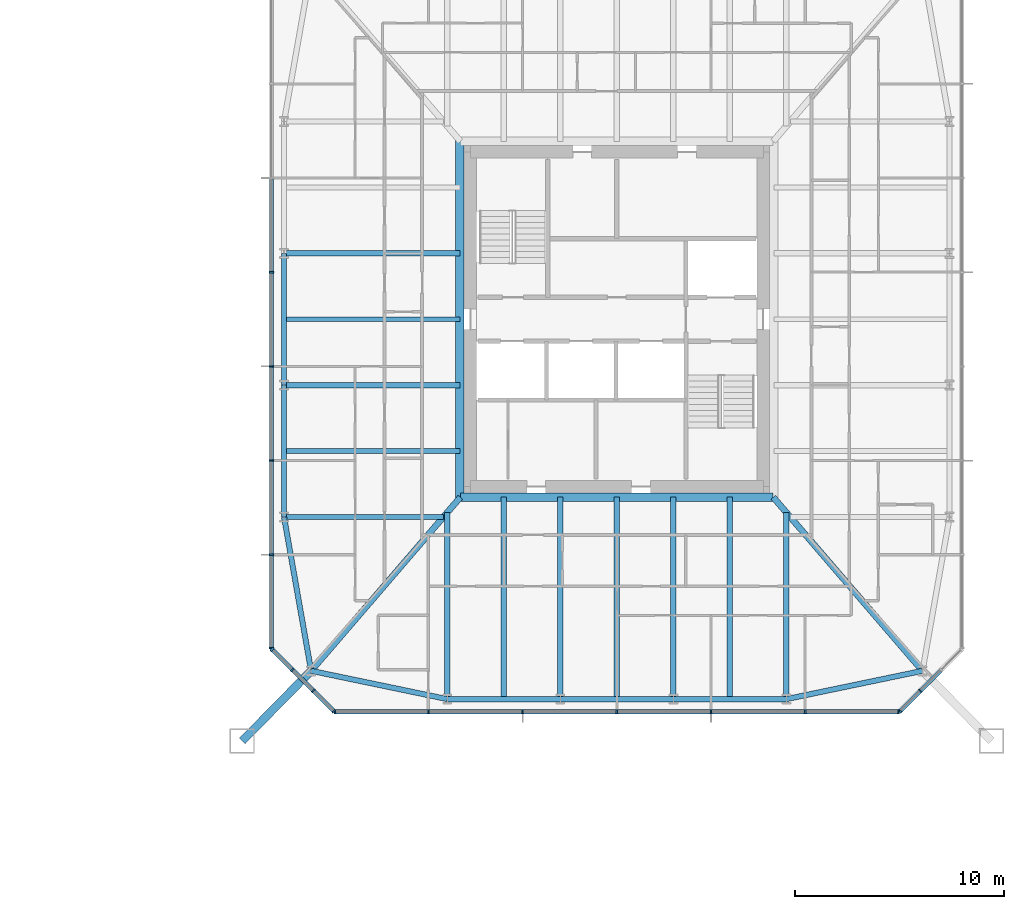
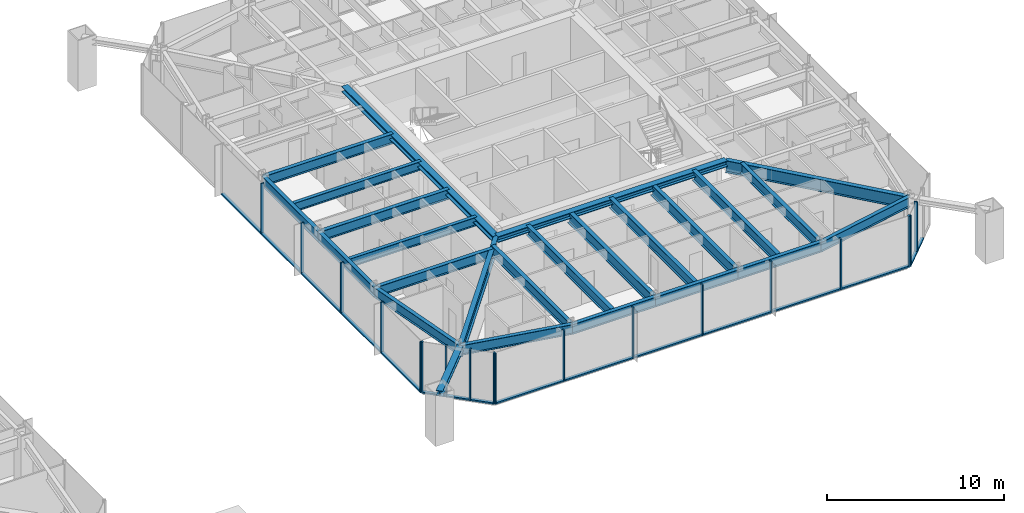
# One storey, part 8 of 26: 35 members, 24 beams, 4 elements without a shape of their own.
"""IFC4 building model written with IfcOpenShell, lengths in metres."""

from ifc_helpers import new_model, si_unit, direction, frame, origin, origin_2d, place, context, subcontext, project, spatial, rectangle, i_section, extrude, material, material_profile, profile_set, type_object, element, aggregate, save


model = new_model("IFC4")

# Units and contexts
model_context = context("Model", 3, precision=1e-05, world=origin(), true_north=direction((0.0, 1.0)))
body_context = subcontext(model_context, "Body", "Model", "MODEL_VIEW")
ifc_project = project(units=[si_unit("LENGTHUNIT", "METRE"), si_unit("AREAUNIT", "SQUARE_METRE"), si_unit("VOLUMEUNIT", "CUBIC_METRE"), si_unit("PLANEANGLEUNIT", "RADIAN"), si_unit("MASSUNIT", "GRAM", prefix="KILO")], contexts=[model_context])

# Site, building, storey
site_placement = place(None, origin())
site = spatial("IfcSite", under=ifc_project, at=site_placement, CompositionType="ELEMENT")
building_placement = place(site_placement, origin())
building = spatial("IfcBuilding", under=site, at=building_placement, Name="Iwan Alto Co-Living Towers", CompositionType="ELEMENT")
storey_placement = place(building_placement, frame((0.0, 0.0, 39.5)))
storey = spatial("IfcBuildingStorey", under=building, at=storey_placement, Name="L10", CompositionType="ELEMENT", Elevation=39.5)

# Curtain wall, members
ifc_material_1 = material(Name="Bronze aluminium unitised frame", Category="aluminium")
curtain_wall_type_1 = type_object("IfcCurtainWallType", Name="CURTAIN WALL CW-C", PredefinedType="NOTDEFINED", material=ifc_material_1)
curtain_wall_1_placement = place(storey_placement, origin())
curtain_wall_1 = element("IfcCurtainWall", 1, at=curtain_wall_1_placement, inside=storey, type_object=curtain_wall_type_1, Name="T2 curtain wall S L10", PredefinedType="NOTDEFINED")
ifc_material_2 = material(Name="Aluminium 6063-T6 bronze anodised", Category="aluminium")
ifc_material_profile_1 = material_profile(ifc_material_2, rectangle(XDim=0.199951171875, YDim=0.080078125, at=origin_2d()), Name="AL 80X200")
ifc_profile_set_1 = profile_set([ifc_material_profile_1], Name="Aluminium 6063-T6 bronze anodised")
member_type_1 = type_object("IfcMemberType", Name="CW-C MULLION 80X200", PredefinedType="MULLION", material=ifc_profile_set_1)
member_1_placement = place(storey_placement, frame((49.5400390625, -18.75, 0.0), z_axis=(0.0, 0.0, 1.0), x_axis=(0.0, 1.0, 0.0)))
member_1 = element("IfcMember", 2, at=member_1_placement, type_object=member_type_1, Name="CW-C mullion 1", PredefinedType="MULLION", context=body_context, shape_type="SweptSolid", body=[
    extrude(rectangle(XDim=0.199951171875, YDim=0.080078125, at=origin_2d()), origin(), (0.0, 0.0, 1.0), 3.5),
])
member_2_placement = place(storey_placement, frame((54.0, -18.75, 0.0), z_axis=(0.0, 0.0, 1.0), x_axis=(0.0, 1.0, 0.0)))
member_2 = element("IfcMember", 3, at=member_2_placement, type_object=member_type_1, Name="CW-C mullion 2", PredefinedType="MULLION", context=body_context, shape_type="SweptSolid", body=[
    extrude(rectangle(XDim=0.199951171875, YDim=0.080078125, at=origin_2d()), origin(), (0.0, 0.0, 1.0), 3.5),
])
member_3_placement = place(storey_placement, frame((58.5, -18.75, 0.0), z_axis=(0.0, 0.0, 1.0), x_axis=(0.0, 1.0, 0.0)))
member_3 = element("IfcMember", 4, at=member_3_placement, type_object=member_type_1, Name="CW-C mullion 3", PredefinedType="MULLION", context=body_context, shape_type="SweptSolid", body=[
    extrude(rectangle(XDim=0.199951171875, YDim=0.080078125, at=origin_2d()), origin(), (0.0, 0.0, 1.0), 3.5),
])
member_4_placement = place(storey_placement, frame((63.0, -18.75, 0.0), z_axis=(0.0, 0.0, 1.0), x_axis=(0.0, 1.0, 0.0)))
member_4 = element("IfcMember", 5, at=member_4_placement, type_object=member_type_1, Name="CW-C mullion 4", PredefinedType="MULLION", context=body_context, shape_type="SweptSolid", body=[
    extrude(rectangle(XDim=0.199951171875, YDim=0.080078125, at=origin_2d()), origin(), (0.0, 0.0, 1.0), 3.5),
])
member_5_placement = place(storey_placement, frame((67.5, -18.75, 0.0), z_axis=(0.0, 0.0, 1.0), x_axis=(0.0, 1.0, 0.0)))
member_5 = element("IfcMember", 6, at=member_5_placement, type_object=member_type_1, Name="CW-C mullion 5", PredefinedType="MULLION", context=body_context, shape_type="SweptSolid", body=[
    extrude(rectangle(XDim=0.199951171875, YDim=0.080078125, at=origin_2d()), origin(), (0.0, 0.0, 1.0), 3.5),
])
member_6_placement = place(storey_placement, frame((72.0, -18.75, 0.0), z_axis=(0.0, 0.0, 1.0), x_axis=(0.0, 1.0, 0.0)))
member_6 = element("IfcMember", 7, at=member_6_placement, type_object=member_type_1, Name="CW-C mullion 6", PredefinedType="MULLION", context=body_context, shape_type="SweptSolid", body=[
    extrude(rectangle(XDim=0.199951171875, YDim=0.080078125, at=origin_2d()), origin(), (0.0, 0.0, 1.0), 3.5),
])
member_7_placement = place(storey_placement, frame((76.4599609375, -18.75, 0.0), z_axis=(0.0, 0.0, 1.0), x_axis=(0.0, 1.0, 0.0)))
member_7 = element("IfcMember", 8, at=member_7_placement, type_object=member_type_1, Name="CW-C mullion 7", PredefinedType="MULLION", context=body_context, shape_type="SweptSolid", body=[
    extrude(rectangle(XDim=0.199951171875, YDim=0.080078125, at=origin_2d()), origin(), (0.0, 0.0, 1.0), 3.5),
])

curtain_wall_2_placement = place(storey_placement, origin())
curtain_wall_2 = element("IfcCurtainWall", 9, at=curtain_wall_2_placement, inside=storey, type_object=curtain_wall_type_1, Name="T2 curtain wall W L10", PredefinedType="NOTDEFINED")
member_8_placement = place(storey_placement, frame((46.5, 2.25, 0.0), z_axis=(0.0, 0.0, 1.0), x_axis=(1.0, 0.0, 0.0)))
member_8 = element("IfcMember", 10, at=member_8_placement, type_object=member_type_1, Name="CW-C mullion 4", PredefinedType="MULLION", context=body_context, shape_type="SweptSolid", body=[
    extrude(rectangle(XDim=0.199951171875, YDim=0.080078125, at=origin_2d()), origin(), (0.0, 0.0, 1.0), 3.5),
])
member_9_placement = place(storey_placement, frame((46.5, -2.25, 0.0), z_axis=(0.0, 0.0, 1.0), x_axis=(1.0, 0.0, 0.0)))
member_9 = element("IfcMember", 11, at=member_9_placement, type_object=member_type_1, Name="CW-C mullion 5", PredefinedType="MULLION", context=body_context, shape_type="SweptSolid", body=[
    extrude(rectangle(XDim=0.199951171875, YDim=0.080078125, at=origin_2d()), origin(), (0.0, 0.0, 1.0), 3.5),
])
member_10_placement = place(storey_placement, frame((46.5, -6.75, 0.0), z_axis=(0.0, 0.0, 1.0), x_axis=(1.0, 0.0, 0.0)))
member_10 = element("IfcMember", 12, at=member_10_placement, type_object=member_type_1, Name="CW-C mullion 6", PredefinedType="MULLION", context=body_context, shape_type="SweptSolid", body=[
    extrude(rectangle(XDim=0.199951171875, YDim=0.080078125, at=origin_2d()), origin(), (0.0, 0.0, 1.0), 3.5),
])
member_11_placement = place(storey_placement, frame((46.5, -11.25, 0.0), z_axis=(0.0, 0.0, 1.0), x_axis=(1.0, 0.0, 0.0)))
member_11 = element("IfcMember", 13, at=member_11_placement, type_object=member_type_1, Name="CW-C mullion 7", PredefinedType="MULLION", context=body_context, shape_type="SweptSolid", body=[
    extrude(rectangle(XDim=0.199951171875, YDim=0.080078125, at=origin_2d()), origin(), (0.0, 0.0, 1.0), 3.5),
])
member_12_placement = place(storey_placement, frame((46.5, -15.7099609375, 0.0), z_axis=(0.0, 0.0, 1.0), x_axis=(1.0, 0.0, 0.0)))
member_12 = element("IfcMember", 14, at=member_12_placement, type_object=member_type_1, Name="CW-C mullion 8", PredefinedType="MULLION", context=body_context, shape_type="SweptSolid", body=[
    extrude(rectangle(XDim=0.199951171875, YDim=0.080078125, at=origin_2d()), origin(), (0.0, 0.0, 1.0), 3.5),
])

# Member
ifc_material_3 = material(Name="Aluminium 6063-T6 bronze anodised", Category="aluminium")
ifc_material_profile_2 = material_profile(ifc_material_3, rectangle(XDim=0.199951171875, YDim=0.10009765625, at=origin_2d()), Name="AL 200X100")
ifc_profile_set_2 = profile_set([ifc_material_profile_2], Name="Aluminium 6063-T6 bronze anodised")
member_type_2 = type_object("IfcMemberType", Name="CW-C TRANSOM 200X100", PredefinedType="USERDEFINED", material=ifc_profile_set_2)
member_13_placement = place(storey_placement, frame((49.580078125, -18.75, 0.050048828125), z_axis=(1.0, 0.0, 0.0), x_axis=(0.0, 1.0, 0.0)))
member_13 = element("IfcMember", 15, at=member_13_placement, type_object=member_type_2, Name="CW-C transom 1.1", ObjectType="TRANSOM", PredefinedType="USERDEFINED", context=body_context, shape_type="SweptSolid", body=[
    extrude(rectangle(XDim=0.199951171875, YDim=0.10009765625, at=origin_2d()), origin(), (0.0, 0.0, 1.0), 4.3798828125),
])

member_14_placement = place(storey_placement, frame((54.0400390625, -18.75, 0.050048828125), z_axis=(1.0, 0.0, 0.0), x_axis=(0.0, 1.0, 0.0)))
member_14 = element("IfcMember", 16, at=member_14_placement, type_object=member_type_2, Name="CW-C transom 2.1", ObjectType="TRANSOM", PredefinedType="USERDEFINED", context=body_context, shape_type="SweptSolid", body=[
    extrude(rectangle(XDim=0.199951171875, YDim=0.10009765625, at=origin_2d()), origin(), (0.0, 0.0, 1.0), 4.419921875),
])

member_15_placement = place(storey_placement, frame((58.5400390625, -18.75, 0.050048828125), z_axis=(1.0, 0.0, 0.0), x_axis=(0.0, 1.0, 0.0)))
member_15 = element("IfcMember", 17, at=member_15_placement, type_object=member_type_2, Name="CW-C transom 3.1", ObjectType="TRANSOM", PredefinedType="USERDEFINED", context=body_context, shape_type="SweptSolid", body=[
    extrude(rectangle(XDim=0.199951171875, YDim=0.10009765625, at=origin_2d()), origin(), (0.0, 0.0, 1.0), 4.419921875),
])

member_16_placement = place(storey_placement, frame((63.0400390625, -18.75, 0.050048828125), z_axis=(1.0, 0.0, 0.0), x_axis=(0.0, 1.0, 0.0)))
member_16 = element("IfcMember", 18, at=member_16_placement, type_object=member_type_2, Name="CW-C transom 4.1", ObjectType="TRANSOM", PredefinedType="USERDEFINED", context=body_context, shape_type="SweptSolid", body=[
    extrude(rectangle(XDim=0.199951171875, YDim=0.10009765625, at=origin_2d()), origin(), (0.0, 0.0, 1.0), 4.419921875),
])

member_17_placement = place(storey_placement, frame((67.5400390625, -18.75, 0.050048828125), z_axis=(1.0, 0.0, 0.0), x_axis=(0.0, 1.0, 0.0)))
member_17 = element("IfcMember", 19, at=member_17_placement, type_object=member_type_2, Name="CW-C transom 5.1", ObjectType="TRANSOM", PredefinedType="USERDEFINED", context=body_context, shape_type="SweptSolid", body=[
    extrude(rectangle(XDim=0.199951171875, YDim=0.10009765625, at=origin_2d()), origin(), (0.0, 0.0, 1.0), 4.419921875),
])

member_18_placement = place(storey_placement, frame((72.0400390625, -18.75, 0.050048828125), z_axis=(1.0, 0.0, 0.0), x_axis=(0.0, 1.0, 0.0)))
member_18 = element("IfcMember", 20, at=member_18_placement, type_object=member_type_2, Name="CW-C transom 6.1", ObjectType="TRANSOM", PredefinedType="USERDEFINED", context=body_context, shape_type="SweptSolid", body=[
    extrude(rectangle(XDim=0.199951171875, YDim=0.10009765625, at=origin_2d()), origin(), (0.0, 0.0, 1.0), 4.3798828125),
])

aggregate(curtain_wall_1, [member_1, member_2, member_3, member_4, member_5, member_6, member_7, member_13, member_14, member_15, member_16, member_17, member_18])

member_19_placement = place(storey_placement, frame((46.5, 6.7099609375, 0.050048828125), z_axis=(0.0, -1.0, 0.0), x_axis=(1.0, 0.0, 0.0)))
member_19 = element("IfcMember", 21, at=member_19_placement, type_object=member_type_2, Name="CW-C transom 3.1", ObjectType="TRANSOM", PredefinedType="USERDEFINED", context=body_context, shape_type="SweptSolid", body=[
    extrude(rectangle(XDim=0.199951171875, YDim=0.10009765625, at=origin_2d()), origin(), (0.0, 0.0, 1.0), 4.419921875),
])

member_20_placement = place(storey_placement, frame((46.5, 2.2099609375, 0.050048828125), z_axis=(0.0, -1.0, 0.0), x_axis=(1.0, 0.0, 0.0)))
member_20 = element("IfcMember", 22, at=member_20_placement, type_object=member_type_2, Name="CW-C transom 4.1", ObjectType="TRANSOM", PredefinedType="USERDEFINED", context=body_context, shape_type="SweptSolid", body=[
    extrude(rectangle(XDim=0.199951171875, YDim=0.10009765625, at=origin_2d()), origin(), (0.0, 0.0, 1.0), 4.419921875),
])

member_21_placement = place(storey_placement, frame((46.5, -2.2900390625, 0.050048828125), z_axis=(0.0, -1.0, 0.0), x_axis=(1.0, 0.0, 0.0)))
member_21 = element("IfcMember", 23, at=member_21_placement, type_object=member_type_2, Name="CW-C transom 5.1", ObjectType="TRANSOM", PredefinedType="USERDEFINED", context=body_context, shape_type="SweptSolid", body=[
    extrude(rectangle(XDim=0.199951171875, YDim=0.10009765625, at=origin_2d()), origin(), (0.0, 0.0, 1.0), 4.419921875),
])

member_22_placement = place(storey_placement, frame((46.5, -6.7900390625, 0.050048828125), z_axis=(0.0, -1.0, 0.0), x_axis=(1.0, 0.0, 0.0)))
member_22 = element("IfcMember", 24, at=member_22_placement, type_object=member_type_2, Name="CW-C transom 6.1", ObjectType="TRANSOM", PredefinedType="USERDEFINED", context=body_context, shape_type="SweptSolid", body=[
    extrude(rectangle(XDim=0.199951171875, YDim=0.10009765625, at=origin_2d()), origin(), (0.0, 0.0, 1.0), 4.419921875),
])

member_23_placement = place(storey_placement, frame((46.5, -11.2900390625, 0.050048828125), z_axis=(0.0, -1.0, 0.0), x_axis=(1.0, 0.0, 0.0)))
member_23 = element("IfcMember", 25, at=member_23_placement, type_object=member_type_2, Name="CW-C transom 7.1", ObjectType="TRANSOM", PredefinedType="USERDEFINED", context=body_context, shape_type="SweptSolid", body=[
    extrude(rectangle(XDim=0.199951171875, YDim=0.10009765625, at=origin_2d()), origin(), (0.0, 0.0, 1.0), 4.3798828125),
])

aggregate(curtain_wall_2, [member_8, member_9, member_10, member_11, member_12, member_19, member_20, member_21, member_22, member_23])

# Curtain wall, members
ifc_material_4 = material(Name="Bronze aluminium unitised frame", Category="aluminium")
curtain_wall_type_2 = type_object("IfcCurtainWallType", Name="CURTAIN WALL CW-D", PredefinedType="NOTDEFINED", material=ifc_material_4)
curtain_wall_3_placement = place(storey_placement, origin())
curtain_wall_3 = element("IfcCurtainWall", 26, at=curtain_wall_3_placement, inside=storey, type_object=curtain_wall_type_2, Name="T2 chamfer curtain wall SE L10", PredefinedType="NOTDEFINED")
ifc_material_5 = material(Name="Aluminium 6063-T6 bronze anodised", Category="aluminium")
ifc_material_profile_3 = material_profile(ifc_material_5, rectangle(XDim=0.199951171875, YDim=0.080078125, at=origin_2d()), Name="AL 80X200")
ifc_profile_set_3 = profile_set([ifc_material_profile_3], Name="Aluminium 6063-T6 bronze anodised")
member_type_3 = type_object("IfcMemberType", Name="CW-D MULLION 80X200", PredefinedType="MULLION", material=ifc_profile_set_3)
member_24_placement = place(storey_placement, frame((76.5283203125, -18.7216796875, 0.0), z_axis=(0.0, 0.0, 1.0), x_axis=(-0.707106781187, 0.707106781187, 0.0)))
member_24 = element("IfcMember", 27, at=member_24_placement, type_object=member_type_3, Name="CW-D mullion 1", PredefinedType="MULLION", context=body_context, shape_type="SweptSolid", body=[
    extrude(rectangle(XDim=0.199951171875, YDim=0.080078125, at=origin_2d()), origin(), (0.0, 0.0, 1.0), 3.5),
])
member_25_placement = place(storey_placement, frame((77.5, -17.75, 0.0), z_axis=(0.0, 0.0, 1.0), x_axis=(-0.707106781187, 0.707106781187, 0.0)))
member_25 = element("IfcMember", 28, at=member_25_placement, type_object=member_type_3, Name="CW-D mullion 2", PredefinedType="MULLION", context=body_context, shape_type="SweptSolid", body=[
    extrude(rectangle(XDim=0.199951171875, YDim=0.080078125, at=origin_2d()), origin(), (0.0, 0.0, 1.0), 3.5),
])

curtain_wall_4_placement = place(storey_placement, origin())
curtain_wall_4 = element("IfcCurtainWall", 29, at=curtain_wall_4_placement, inside=storey, type_object=curtain_wall_type_2, Name="T2 chamfer curtain wall SW L10", PredefinedType="NOTDEFINED")
member_26_placement = place(storey_placement, frame((46.5283203125, -15.7783203125, 0.0), z_axis=(0.0, 0.0, 1.0), x_axis=(0.707106781187, 0.707106781187, 0.0)))
member_26 = element("IfcMember", 30, at=member_26_placement, type_object=member_type_3, Name="CW-D mullion 1", PredefinedType="MULLION", context=body_context, shape_type="SweptSolid", body=[
    extrude(rectangle(XDim=0.199951171875, YDim=0.080078125, at=origin_2d()), origin(), (0.0, 0.0, 1.0), 3.5),
])
member_27_placement = place(storey_placement, frame((47.5, -16.75, 0.0), z_axis=(0.0, 0.0, 1.0), x_axis=(0.707106781187, 0.707106781187, 0.0)))
member_27 = element("IfcMember", 31, at=member_27_placement, type_object=member_type_3, Name="CW-D mullion 2", PredefinedType="MULLION", context=body_context, shape_type="SweptSolid", body=[
    extrude(rectangle(XDim=0.199951171875, YDim=0.080078125, at=origin_2d()), origin(), (0.0, 0.0, 1.0), 3.5),
])
member_28_placement = place(storey_placement, frame((48.5, -17.75, 0.0), z_axis=(0.0, 0.0, 1.0), x_axis=(0.707106781187, 0.707106781187, 0.0)))
member_28 = element("IfcMember", 32, at=member_28_placement, type_object=member_type_3, Name="CW-D mullion 3", PredefinedType="MULLION", context=body_context, shape_type="SweptSolid", body=[
    extrude(rectangle(XDim=0.199951171875, YDim=0.080078125, at=origin_2d()), origin(), (0.0, 0.0, 1.0), 3.5),
])
member_29_placement = place(storey_placement, frame((49.4716796875, -18.7216796875, 0.0), z_axis=(0.0, 0.0, 1.0), x_axis=(0.707106781187, 0.707106781187, 0.0)))
member_29 = element("IfcMember", 33, at=member_29_placement, type_object=member_type_3, Name="CW-D mullion 4", PredefinedType="MULLION", context=body_context, shape_type="SweptSolid", body=[
    extrude(rectangle(XDim=0.199951171875, YDim=0.080078125, at=origin_2d()), origin(), (0.0, 0.0, 1.0), 3.5),
])

# Member
ifc_material_6 = material(Name="Aluminium 6063-T6 bronze anodised", Category="aluminium")
ifc_material_profile_4 = material_profile(ifc_material_6, rectangle(XDim=0.199951171875, YDim=0.10009765625, at=origin_2d()), Name="AL 200X100")
ifc_profile_set_4 = profile_set([ifc_material_profile_4], Name="Aluminium 6063-T6 bronze anodised")
member_type_4 = type_object("IfcMemberType", Name="CW-D TRANSOM 200X100", PredefinedType="USERDEFINED", material=ifc_profile_set_4)
member_30_placement = place(storey_placement, frame((76.556640625, -18.693359375, 0.050048828125), z_axis=(0.707106781187, 0.707106781187, 0.0), x_axis=(-0.707106781187, 0.707106781187, 0.0)))
member_30 = element("IfcMember", 34, at=member_30_placement, type_object=member_type_4, Name="CW-D transom 1.1", ObjectType="TRANSOM", PredefinedType="USERDEFINED", context=body_context, shape_type="SweptSolid", body=[
    extrude(rectangle(XDim=0.199951171875, YDim=0.10009765625, at=origin_2d()), origin(), (0.0, 0.0, 1.0), 1.2939453125),
])

member_31_placement = place(storey_placement, frame((77.5283203125, -17.7216796875, 0.050048828125), z_axis=(0.707106781187, 0.707106781187, 0.0), x_axis=(-0.707106781187, 0.707106781187, 0.0)))
member_31 = element("IfcMember", 35, at=member_31_placement, type_object=member_type_4, Name="CW-D transom 2.1", ObjectType="TRANSOM", PredefinedType="USERDEFINED", context=body_context, shape_type="SweptSolid", body=[
    extrude(rectangle(XDim=0.199951171875, YDim=0.10009765625, at=origin_2d()), origin(), (0.0, 0.0, 1.0), 1.334228515625),
])

aggregate(curtain_wall_3, [member_24, member_25, member_30, member_31])

member_32_placement = place(storey_placement, frame((46.556640625, -15.806640625, 0.050048828125), z_axis=(0.707106781187, -0.707106781187, 0.0), x_axis=(0.707106781187, 0.707106781187, 0.0)))
member_32 = element("IfcMember", 36, at=member_32_placement, type_object=member_type_4, Name="CW-D transom 1.1", ObjectType="TRANSOM", PredefinedType="USERDEFINED", context=body_context, shape_type="SweptSolid", body=[
    extrude(rectangle(XDim=0.199951171875, YDim=0.10009765625, at=origin_2d()), origin(), (0.0, 0.0, 1.0), 1.2939453125),
])

member_33_placement = place(storey_placement, frame((47.5283203125, -16.7783203125, 0.050048828125), z_axis=(0.707106781187, -0.707106781187, 0.0), x_axis=(0.707106781187, 0.707106781187, 0.0)))
member_33 = element("IfcMember", 37, at=member_33_placement, type_object=member_type_4, Name="CW-D transom 2.1", ObjectType="TRANSOM", PredefinedType="USERDEFINED", context=body_context, shape_type="SweptSolid", body=[
    extrude(rectangle(XDim=0.199951171875, YDim=0.10009765625, at=origin_2d()), origin(), (0.0, 0.0, 1.0), 1.334228515625),
])

member_34_placement = place(storey_placement, frame((48.5283203125, -17.7783203125, 0.050048828125), z_axis=(0.707106781187, -0.707106781187, 0.0), x_axis=(0.707106781187, 0.707106781187, 0.0)))
member_34 = element("IfcMember", 38, at=member_34_placement, type_object=member_type_4, Name="CW-D transom 3.1", ObjectType="TRANSOM", PredefinedType="USERDEFINED", context=body_context, shape_type="SweptSolid", body=[
    extrude(rectangle(XDim=0.199951171875, YDim=0.10009765625, at=origin_2d()), origin(), (0.0, 0.0, 1.0), 1.2939453125),
])

aggregate(curtain_wall_4, [member_26, member_27, member_28, member_29, member_32, member_33, member_34])

# Beams
ifc_material_7 = material(Name="Steel ASTM A992 Gr 50", Category="steel")
ifc_material_profile_5 = material_profile(ifc_material_7, i_section(OverallWidth=0.40380859375, OverallDepth=0.406494140625, WebThickness=0.027099609375, FlangeThickness=0.043701171875, at=origin_2d()), Name="W14X233")
ifc_profile_set_5 = profile_set([ifc_material_profile_5], Name="Steel ASTM A992 Gr 50")
beam_type_1 = type_object("IfcBeamType", Name="T2 CORE LEDGER BEAM W14X233", PredefinedType="BEAM", material=ifc_profile_set_5)
beam_1_placement = place(storey_placement, frame((55.5263671875, -8.501953125, 3.06689453125), z_axis=(1.0, 0.0, 0.0), x_axis=(0.0, 1.0, 0.0)))
element("IfcBeam", 39, at=beam_1_placement, inside=storey, type_object=beam_type_1, Name="T2 core ledger beam S L11", PredefinedType="BEAM", context=body_context, shape_type="SweptSolid", body=[
    extrude(i_section(OverallWidth=0.40380859375, OverallDepth=0.406494140625, WebThickness=0.027099609375, FlangeThickness=0.043701171875, at=origin_2d()), origin(), (0.0, 0.0, 1.0), 14.947265625),
])
beam_2_placement = place(storey_placement, frame((55.498046875, 8.534912109375, 3.06689453125), z_axis=(0.0, -1.0, 0.0), x_axis=(1.0, 0.0, 0.0)))
element("IfcBeam", 40, at=beam_2_placement, inside=storey, type_object=beam_type_1, Name="T2 core ledger beam W L11", PredefinedType="BEAM", context=body_context, shape_type="SweptSolid", body=[
    extrude(i_section(OverallWidth=0.40380859375, OverallDepth=0.406494140625, WebThickness=0.027099609375, FlangeThickness=0.043701171875, at=origin_2d()), origin(), (0.0, 0.0, 1.0), 17.06982421875),
])
ifc_material_8 = material(Name="Steel ASTM A992 Gr 50", Category="steel")
ifc_material_profile_6 = material_profile(ifc_material_8, i_section(OverallWidth=0.2919921875, OverallDepth=0.8408203125, WebThickness=0.0146484375, FlangeThickness=0.021728515625, at=origin_2d()), Name="W33X130")
ifc_profile_set_6 = profile_set([ifc_material_profile_6], Name="Steel ASTM A992 Gr 50")
beam_type_2 = type_object("IfcBeamType", Name="T2 CORNER GIRDER W33X130", PredefinedType="BEAM", material=ifc_profile_set_6)
for number, where, z_axis, x_axis, name in (
    (41, (48.393798828125, -16.797119140625, 2.849609375), (0.651972301827, 0.758242782788, 0.0), (-0.758242782788, 0.651972301827, 0.0), "T2 corner girder CSW L11"),
    (42, (77.606201171875, -16.797119140625, 2.849609375), (-0.651972301827, 0.758242782788, 0.0), (-0.758242782788, -0.651972301827, 0.0), "T2 corner girder CSE L11"),
):
    element("IfcBeam", number, at=place(storey_placement, frame(where, z_axis=z_axis, x_axis=x_axis)), inside=storey, type_object=beam_type_2, Name=name, PredefinedType="BEAM", context=body_context, shape_type="SweptSolid", body=[
        extrude(i_section(OverallWidth=0.2919921875, OverallDepth=0.8408203125, WebThickness=0.0146484375, FlangeThickness=0.021728515625, at=origin_2d()), origin(), (0.0, 0.0, 1.0), 10.93994140625),
    ])
ifc_material_9 = material(Name="Steel ASTM A992 Gr 50", Category="steel")
ifc_material_profile_7 = material_profile(ifc_material_9, i_section(OverallWidth=0.25390625, OverallDepth=0.683349609375, WebThickness=0.012451171875, FlangeThickness=0.018798828125, at=origin_2d()), Name="W27X94")
ifc_profile_set_7 = profile_set([ifc_material_profile_7], Name="Steel ASTM A992 Gr 50")
beam_type_3 = type_object("IfcBeamType", Name="T2 EDGE BEAM W27X94", PredefinedType="BEAM", material=ifc_profile_set_7)
beam_3_placement = place(storey_placement, frame((48.393798828125, -16.797119140625, 2.928466796875), z_axis=(0.979060119423, -0.203571320564, 0.0), x_axis=(0.203571320564, 0.979060119423, 0.0)))
element("IfcBeam", 43, at=beam_3_placement, inside=storey, type_object=beam_type_3, Name="T2 edge beam CSW L11", PredefinedType="BEAM", context=body_context, shape_type="SweptSolid", body=[
    extrude(i_section(OverallWidth=0.25390625, OverallDepth=0.683349609375, WebThickness=0.012451171875, FlangeThickness=0.018798828125, at=origin_2d()), origin(), (0.0, 0.0, 1.0), 6.645263671875),
])
beam_4_placement = place(storey_placement, frame((54.89990234375, -18.14990234375, 2.928466796875), z_axis=(1.0, 0.0, 0.0), x_axis=(0.0, 1.0, 0.0)))
element("IfcBeam", 44, at=beam_4_placement, inside=storey, type_object=beam_type_3, Name="T2 edge beam S1 L11", PredefinedType="BEAM", context=body_context, shape_type="SweptSolid", body=[
    extrude(i_section(OverallWidth=0.25390625, OverallDepth=0.683349609375, WebThickness=0.012451171875, FlangeThickness=0.018798828125, at=origin_2d()), origin(), (0.0, 0.0, 1.0), 5.400146484375),
])
beam_5_placement = place(storey_placement, frame((60.300048828125, -18.14990234375, 2.928466796875), z_axis=(1.0, 0.0, 0.0), x_axis=(0.0, 1.0, 0.0)))
element("IfcBeam", 45, at=beam_5_placement, inside=storey, type_object=beam_type_3, Name="T2 edge beam S2 L11", PredefinedType="BEAM", context=body_context, shape_type="SweptSolid", body=[
    extrude(i_section(OverallWidth=0.25390625, OverallDepth=0.683349609375, WebThickness=0.012451171875, FlangeThickness=0.018798828125, at=origin_2d()), origin(), (0.0, 0.0, 1.0), 5.39990234375),
])
beam_6_placement = place(storey_placement, frame((65.699951171875, -18.14990234375, 2.928466796875), z_axis=(1.0, 0.0, 0.0), x_axis=(0.0, 1.0, 0.0)))
element("IfcBeam", 46, at=beam_6_placement, inside=storey, type_object=beam_type_3, Name="T2 edge beam S3 L11", PredefinedType="BEAM", context=body_context, shape_type="SweptSolid", body=[
    extrude(i_section(OverallWidth=0.25390625, OverallDepth=0.683349609375, WebThickness=0.012451171875, FlangeThickness=0.018798828125, at=origin_2d()), origin(), (0.0, 0.0, 1.0), 5.400146484375),
])
beam_7_placement = place(storey_placement, frame((71.10009765625, -18.14990234375, 2.928466796875), z_axis=(0.979060119423, 0.203571320564, 0.0), x_axis=(-0.203571320564, 0.979060119423, 0.0)))
element("IfcBeam", 47, at=beam_7_placement, inside=storey, type_object=beam_type_3, Name="T2 edge beam S4 L11", PredefinedType="BEAM", context=body_context, shape_type="SweptSolid", body=[
    extrude(i_section(OverallWidth=0.25390625, OverallDepth=0.683349609375, WebThickness=0.012451171875, FlangeThickness=0.018798828125, at=origin_2d()), origin(), (0.0, 0.0, 1.0), 6.645263671875),
])
beam_8_placement = place(storey_placement, frame((47.10009765625, 3.14990234375, 2.928466796875), z_axis=(0.0, -1.0, 0.0), x_axis=(1.0, 0.0, 0.0)))
element("IfcBeam", 48, at=beam_8_placement, inside=storey, type_object=beam_type_3, Name="T2 edge beam W2 L11", PredefinedType="BEAM", context=body_context, shape_type="SweptSolid", body=[
    extrude(i_section(OverallWidth=0.25390625, OverallDepth=0.683349609375, WebThickness=0.012451171875, FlangeThickness=0.018798828125, at=origin_2d()), origin(), (0.0, 0.0, 1.0), 6.2998046875),
])
beam_9_placement = place(storey_placement, frame((47.10009765625, -3.14990234375, 2.928466796875), z_axis=(0.0, -1.0, 0.0), x_axis=(1.0, 0.0, 0.0)))
element("IfcBeam", 49, at=beam_9_placement, inside=storey, type_object=beam_type_3, Name="T2 edge beam W3 L11", PredefinedType="BEAM", context=body_context, shape_type="SweptSolid", body=[
    extrude(i_section(OverallWidth=0.25390625, OverallDepth=0.683349609375, WebThickness=0.012451171875, FlangeThickness=0.018798828125, at=origin_2d()), origin(), (0.0, 0.0, 1.0), 6.300048828125),
])
beam_10_placement = place(storey_placement, frame((47.10009765625, -9.449951171875, 2.928466796875), z_axis=(0.173413807283, -0.98484905008, 0.0), x_axis=(0.98484905008, 0.173413807283, 0.0)))
element("IfcBeam", 50, at=beam_10_placement, inside=storey, type_object=beam_type_3, Name="T2 edge beam W4 L11", PredefinedType="BEAM", context=body_context, shape_type="SweptSolid", body=[
    extrude(i_section(OverallWidth=0.25390625, OverallDepth=0.683349609375, WebThickness=0.012451171875, FlangeThickness=0.018798828125, at=origin_2d()), origin(), (0.0, 0.0, 1.0), 7.460205078125),
])

# Member
ifc_material_10 = material(Name="Steel ASTM A992 Gr 50", Category="steel")
ifc_material_profile_8 = material_profile(ifc_material_10, i_section(OverallWidth=0.393798828125, OverallDepth=0.3759765625, WebThickness=0.017333984375, FlangeThickness=0.027587890625, at=origin_2d()), Name="W14X145")
ifc_profile_set_8 = profile_set([ifc_material_profile_8], Name="Steel ASTM A992 Gr 50")
member_type_5 = type_object("IfcMemberType", Name="T2 MEGA COLUMN FLOOR TIE W14X145", PredefinedType="STRUT", material=ifc_profile_set_8)
member_35_placement = place(storey_placement, frame((45.10009765625, -20.14990234375, 3.08203125), z_axis=(0.700793469544, 0.71336422187, 0.0), x_axis=(-0.71336422187, 0.700793469544, 0.0)))
element("IfcMember", 51, at=member_35_placement, inside=storey, type_object=member_type_5, Name="T2 mega column floor tie SW L11", PredefinedType="STRUT", context=body_context, shape_type="SweptSolid", body=[
    extrude(i_section(OverallWidth=0.393798828125, OverallDepth=0.3759765625, WebThickness=0.017333984375, FlangeThickness=0.027587890625, at=origin_2d()), origin(), (0.0, 0.0, 1.0), 4.699951171875),
])

# Beams
ifc_material_11 = material(Name="Steel ASTM A992 Gr 50", Category="steel")
ifc_material_profile_9 = material_profile(ifc_material_11, i_section(OverallWidth=0.25390625, OverallDepth=0.683349609375, WebThickness=0.012451171875, FlangeThickness=0.018798828125, at=origin_2d()), Name="W27X94")
ifc_profile_set_9 = profile_set([ifc_material_profile_9], Name="Steel ASTM A992 Gr 50")
beam_type_4 = type_object("IfcBeamType", Name="T2 RADIAL BEAM W27X94", PredefinedType="BEAM", material=ifc_profile_set_9)
for number, where, z_axis, x_axis, name in (
    (52, (54.89990234375, -18.14990234375, 2.928466796875), (0.0, 1.0, 0.0), (-1.0, 0.0, 0.0), "T2 radial beam S1 L11"),
    (53, (71.10009765625, -18.14990234375, 2.928466796875), (0.0, 1.0, 0.0), (-1.0, 0.0, 0.0), "T2 radial beam S4 L11"),
):
    element("IfcBeam", number, at=place(storey_placement, frame(where, z_axis=z_axis, x_axis=x_axis)), inside=storey, type_object=beam_type_4, Name=name, PredefinedType="BEAM", context=body_context, shape_type="SweptSolid", body=[
        extrude(i_section(OverallWidth=0.25390625, OverallDepth=0.683349609375, WebThickness=0.012451171875, FlangeThickness=0.018798828125, at=origin_2d()), origin(), (0.0, 0.0, 1.0), 8.91943359375),
    ])
for number, where, z_axis, x_axis, name in (
    (54, (47.10009765625, 3.14990234375, 2.928466796875), (1.0, 0.0, 0.0), (0.0, 1.0, 0.0), "T2 radial beam W2 L11"),
    (55, (47.10009765625, -3.14990234375, 2.928466796875), (1.0, 0.0, 0.0), (0.0, 1.0, 0.0), "T2 radial beam W3 L11"),
):
    element("IfcBeam", number, at=place(storey_placement, frame(where, z_axis=z_axis, x_axis=x_axis)), inside=storey, type_object=beam_type_4, Name=name, PredefinedType="BEAM", context=body_context, shape_type="SweptSolid", body=[
        extrude(i_section(OverallWidth=0.25390625, OverallDepth=0.683349609375, WebThickness=0.012451171875, FlangeThickness=0.018798828125, at=origin_2d()), origin(), (0.0, 0.0, 1.0), 8.39794921875),
    ])
beam_11_placement = place(storey_placement, frame((47.10009765625, -9.449951171875, 2.928466796875), z_axis=(1.0, 0.0, 0.0), x_axis=(0.0, 1.0, 0.0)))
element("IfcBeam", 56, at=beam_11_placement, inside=storey, type_object=beam_type_4, Name="T2 radial beam W4 L11", PredefinedType="BEAM", context=body_context, shape_type="SweptSolid", body=[
    extrude(i_section(OverallWidth=0.25390625, OverallDepth=0.683349609375, WebThickness=0.012451171875, FlangeThickness=0.018798828125, at=origin_2d()), origin(), (0.0, 0.0, 1.0), 7.611083984375),
])
ifc_material_12 = material(Name="Steel ASTM A992 Gr 50", Category="steel")
ifc_material_profile_10 = material_profile(ifc_material_12, i_section(OverallWidth=0.2666015625, OverallDepth=0.761962890625, WebThickness=0.014404296875, FlangeThickness=0.021484375, at=origin_2d()), Name="W30X116")
ifc_profile_set_10 = profile_set([ifc_material_profile_10], Name="Steel ASTM A992 Gr 50")
beam_type_5 = type_object("IfcBeamType", Name="T2 RADIAL BEAM W30X116", PredefinedType="BEAM", material=ifc_profile_set_10)
for number, where, z_axis, x_axis, name in (
    (57, (60.300048828125, -18.14990234375, 2.888916015625), (0.0, 1.0, 0.0), (-1.0, 0.0, 0.0), "T2 radial beam S2 L11"),
    (58, (65.699951171875, -18.14990234375, 2.888916015625), (0.0, 1.0, 0.0), (-1.0, 0.0, 0.0), "T2 radial beam S3 L11"),
):
    element("IfcBeam", number, at=place(storey_placement, frame(where, z_axis=z_axis, x_axis=x_axis)), inside=storey, type_object=beam_type_5, Name=name, PredefinedType="BEAM", context=body_context, shape_type="SweptSolid", body=[
        extrude(i_section(OverallWidth=0.2666015625, OverallDepth=0.761962890625, WebThickness=0.014404296875, FlangeThickness=0.021484375, at=origin_2d()), origin(), (0.0, 0.0, 1.0), 9.64794921875),
    ])
ifc_material_13 = material(Name="Steel ASTM A992 Gr 50", Category="steel")
ifc_material_profile_11 = material_profile(ifc_material_13, i_section(OverallWidth=0.228271484375, OverallDepth=0.607177734375, WebThickness=0.01123046875, FlangeThickness=0.017333984375, at=origin_2d()), Name="W24X76")
ifc_profile_set_11 = profile_set([ifc_material_profile_11], Name="Steel ASTM A992 Gr 50")
beam_type_6 = type_object("IfcBeamType", Name="T2 SECONDARY BEAM W24X76", PredefinedType="JOIST", material=ifc_profile_set_11)
for number, where, z_axis, x_axis, name in (
    (59, (47.10009765625, 0.0, 2.966552734375), (1.0, 0.0, 0.0), (0.0, 1.0, 0.0), "T2 secondary beam W2 L11"),
    (60, (47.10009765625, -6.300048828125, 2.966552734375), (1.0, 0.0, 0.0), (0.0, 1.0, 0.0), "T2 secondary beam W3 L11"),
):
    element("IfcBeam", number, at=place(storey_placement, frame(where, z_axis=z_axis, x_axis=x_axis)), inside=storey, type_object=beam_type_6, Name=name, PredefinedType="JOIST", context=body_context, shape_type="SweptSolid", body=[
        extrude(i_section(OverallWidth=0.228271484375, OverallDepth=0.607177734375, WebThickness=0.01123046875, FlangeThickness=0.017333984375, at=origin_2d()), origin(), (0.0, 0.0, 1.0), 8.39794921875),
    ])
ifc_material_14 = material(Name="Steel ASTM A992 Gr 50", Category="steel")
ifc_material_profile_12 = material_profile(ifc_material_14, i_section(OverallWidth=0.25390625, OverallDepth=0.683349609375, WebThickness=0.012451171875, FlangeThickness=0.018798828125, at=origin_2d()), Name="W27X94")
ifc_profile_set_12 = profile_set([ifc_material_profile_12], Name="Steel ASTM A992 Gr 50")
beam_type_7 = type_object("IfcBeamType", Name="T2 SECONDARY BEAM W27X94", PredefinedType="JOIST", material=ifc_profile_set_12)
for number, where, z_axis, x_axis, name in (
    (61, (57.60009765625, -18.14990234375, 2.928466796875), (0.0, 1.0, 0.0), (-1.0, 0.0, 0.0), "T2 secondary beam S1 L11"),
    (62, (63.0, -18.14990234375, 2.928466796875), (0.0, 1.0, 0.0), (-1.0, 0.0, 0.0), "T2 secondary beam S2 L11"),
    (63, (68.39990234375, -18.14990234375, 2.928466796875), (0.0, 1.0, 0.0), (-1.0, 0.0, 0.0), "T2 secondary beam S3 L11"),
):
    element("IfcBeam", number, at=place(storey_placement, frame(where, z_axis=z_axis, x_axis=x_axis)), inside=storey, type_object=beam_type_7, Name=name, PredefinedType="JOIST", context=body_context, shape_type="SweptSolid", body=[
        extrude(i_section(OverallWidth=0.25390625, OverallDepth=0.683349609375, WebThickness=0.012451171875, FlangeThickness=0.018798828125, at=origin_2d()), origin(), (0.0, 0.0, 1.0), 9.64794921875),
    ])

save(model, "model.ifc")
